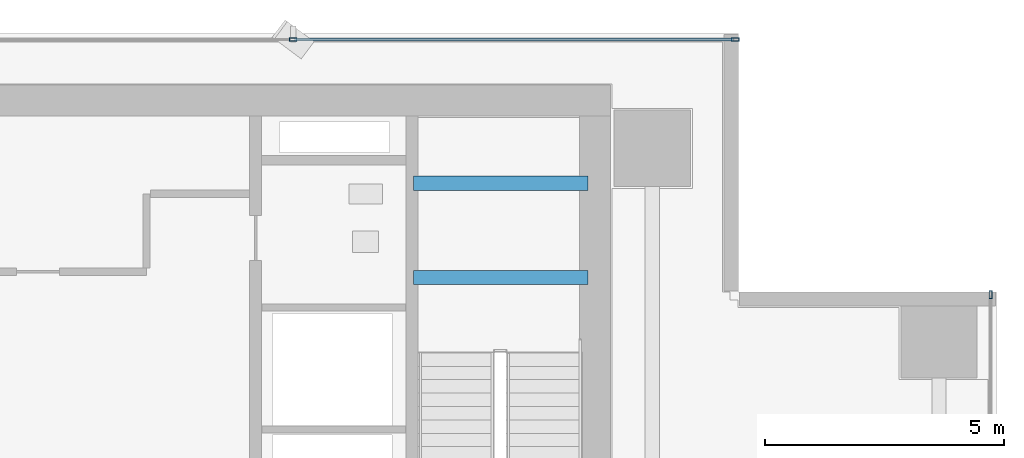
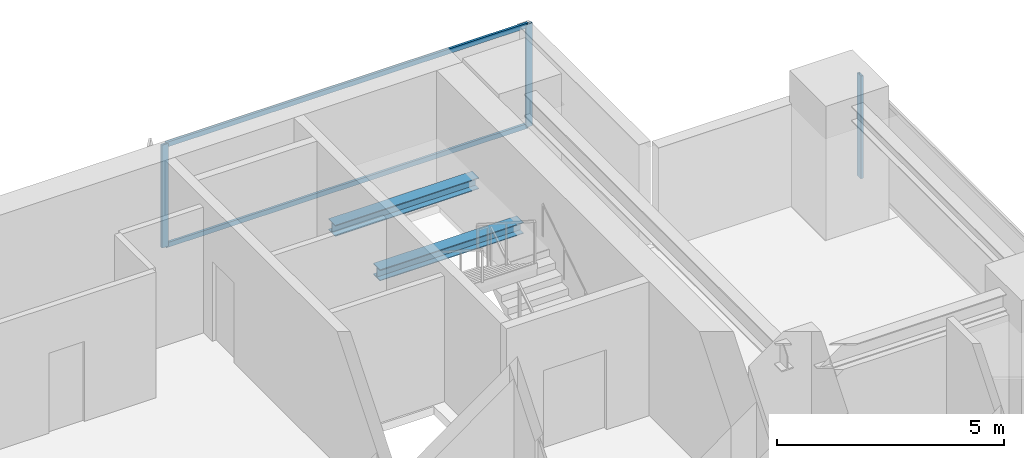
# One storey, part 19 of 27: 5 members, 2 beams, 2 elements without a shape of their own.
"""IFC4 building model written with IfcOpenShell, lengths in metres."""

import ifcopenshell
import ifcopenshell.guid

model = None  # the IFC model being written
_history = None  # IfcOwnerHistory: only IFC2X3 demands one
_inside = {}  # id of a spatial element -> (the spatial element, [elements in it])
_under = {}  # id of a project, library or spatial element -> (it, [spatial elements below it])
_declared = {}  # id of a project -> (the project, [libraries it declares])
_typed = {}  # id of a type object -> (the type object, [elements of that type])
_made_of = {}  # id of a material, layer set ... -> (it, [elements and type objects made of it])


def new_model(schema):
    """Start an empty IFC model of exactly this schema.

    Asked for "IFC4X3", IfcOpenShell would pick the latest addendum, in which some entities
    have other attributes; the version numbers below select the first issue.
    IFC2X3 requires an IfcOwnerHistory on every rooted entity: one is made here for all.
    """
    global model, _history
    if schema == "IFC4X3":
        model = ifcopenshell.file(schema_version=(4, 3, 0, 0))
    else:
        model = ifcopenshell.file(schema=schema)
    _inside.clear()
    _under.clear()
    _declared.clear()
    _typed.clear()
    _made_of.clear()
    _history = None
    if model.schema == "IFC2X3":
        org = make("IfcOrganization", Name="unknown")
        user = make(
            "IfcPersonAndOrganization",
            ThePerson=make("IfcPerson", FamilyName="unknown"),
            TheOrganization=org,
        )
        app = make(
            "IfcApplication",
            ApplicationDeveloper=org,
            Version="unknown",
            ApplicationFullName="unknown",
            ApplicationIdentifier="unknown",
        )
        _history = make(
            "IfcOwnerHistory",
            OwningUser=user,
            OwningApplication=app,
            ChangeAction="ADDED",
            CreationDate=0,
        )
    return model


def make(cls, **values):
    """One entity of the class cls with the attributes given. An attribute that is None is left unset."""
    return model.create_entity(
        cls, **{name: value for name, value in values.items() if value is not None}
    )


def rooted(cls, **values):
    """An entity with a GlobalId (a new one), such as an element, a storey or a relation."""
    return make(cls, GlobalId=ifcopenshell.guid.new(), OwnerHistory=_history, **values)


def si_unit(unit_type, name, prefix=None):
    """IfcSIUnit, for example si_unit("LENGTHUNIT", "METRE", prefix="MILLI")."""
    return make("IfcSIUnit", UnitType=unit_type, Prefix=prefix, Name=name)


def assignment(units):
    """IfcUnitAssignment: the units of a project."""
    return None if units is None else make("IfcUnitAssignment", Units=units)


def point(xyz):
    """IfcCartesianPoint."""
    return None if xyz is None else make("IfcCartesianPoint", Coordinates=xyz)


def direction(xyz):
    """IfcDirection."""
    return None if xyz is None else make("IfcDirection", DirectionRatios=xyz)


def frame(location, z_axis=None, x_axis=None):
    """IfcAxis2Placement3D, a coordinate frame: its origin and axes. An axis left out is left unset."""
    return make(
        "IfcAxis2Placement3D",
        Location=point(location),
        Axis=direction(z_axis),
        RefDirection=direction(x_axis),
    )


def frame_2d(location, x_axis=None):
    """IfcAxis2Placement2D, a coordinate frame in the plane: its origin and x axis."""
    return make(
        "IfcAxis2Placement2D", Location=point(location), RefDirection=direction(x_axis)
    )


def origin():
    """The frame at (0, 0, 0) with its axes left unset."""
    return frame((0.0, 0.0, 0.0))


def origin_2d():
    """The frame at (0, 0) in the plane with its x axis left unset."""
    return frame_2d((0.0, 0.0))


def place(relative_to, where):
    """IfcLocalPlacement: puts the frame where relative to a parent placement (None: the world)."""
    return make(
        "IfcLocalPlacement", PlacementRelTo=relative_to, RelativePlacement=where
    )


def context(
    kind, dimensions, precision=None, world=None, true_north=None, identifier=None
):
    """IfcGeometricRepresentationContext, for example the 3D "Model" context."""
    return make(
        "IfcGeometricRepresentationContext",
        ContextIdentifier=identifier,
        ContextType=kind,
        CoordinateSpaceDimension=dimensions,
        Precision=precision,
        WorldCoordinateSystem=world,
        TrueNorth=true_north,
    )


def subcontext(parent, identifier, kind, view, scale=None):
    """IfcGeometricRepresentationSubContext, for example "Body" below "Model"."""
    return make(
        "IfcGeometricRepresentationSubContext",
        ContextIdentifier=identifier,
        ContextType=kind,
        ParentContext=parent,
        TargetScale=scale,
        TargetView=view,
    )


def project(units=None, contexts=None):
    """IfcProject with its units and contexts."""
    return rooted(
        "IfcProject",
        Name="project",
        RepresentationContexts=contexts,
        UnitsInContext=assignment(units),
    )


def spatial(cls, under=None, at=None, **own):
    """A site, building, storey or space (cls), placed at a placement, below another one or the project."""
    s = rooted(cls, ObjectPlacement=at, **own)
    if under is not None:
        _under.setdefault(under.id(), (under, []))[1].append(s)
    return s


def profile(cls, at=None, kind="AREA", **sizes):
    """A parametric profile (cls). Its sizes go by their IFC names, for example OverallWidth=200.0."""
    return make(cls, ProfileType=kind, Position=at, **sizes)


def hollow_rectangle(**sizes):
    """IfcRectangleHollowProfileDef."""
    return profile("IfcRectangleHollowProfileDef", **sizes)


def i_section(**sizes):
    """IfcIShapeProfileDef."""
    return profile("IfcIShapeProfileDef", **sizes)


def extrude(swept, where, along, depth):
    """IfcExtrudedAreaSolid: the profile swept, set in the frame where, extruded along a direction by depth."""
    return make(
        "IfcExtrudedAreaSolid",
        SweptArea=swept,
        Position=where,
        ExtrudedDirection=direction(along),
        Depth=depth,
    )


def shape(context_of_items, identifier, shape_type, items):
    """IfcShapeRepresentation: the items that make up one representation, for example the "Body"."""
    return make(
        "IfcShapeRepresentation",
        ContextOfItems=context_of_items,
        RepresentationIdentifier=identifier,
        RepresentationType=shape_type,
        Items=items,
    )


def source(mapping_origin, context_of_items, identifier, shape_type, items):
    """IfcRepresentationMap: a shape defined once, which mapped items show again and again."""
    return make(
        "IfcRepresentationMap",
        MappingOrigin=mapping_origin,
        MappedRepresentation=shape(context_of_items, identifier, shape_type, items),
    )


def transform(
    local_origin,
    x_axis=None,
    y_axis=None,
    z_axis=None,
    scale=None,
    scale2=None,
    scale3=None,
    uniform=True,
):
    """IfcCartesianTransformationOperator3D, or its non-uniform kind. x_axis, y_axis, z_axis: its Axis1, 2, 3."""
    if uniform:
        return make(
            "IfcCartesianTransformationOperator3D",
            Axis1=direction(x_axis),
            Axis2=direction(y_axis),
            LocalOrigin=point(local_origin),
            Scale=scale,
            Axis3=direction(z_axis),
        )
    return make(
        "IfcCartesianTransformationOperator3DnonUniform",
        Axis1=direction(x_axis),
        Axis2=direction(y_axis),
        LocalOrigin=point(local_origin),
        Scale=scale,
        Axis3=direction(z_axis),
        Scale2=scale2,
        Scale3=scale3,
    )


def mapped(mapping_source, mapping_target):
    """IfcMappedItem: shows the shape of a source again, moved by a transform."""
    return make(
        "IfcMappedItem", MappingSource=mapping_source, MappingTarget=mapping_target
    )


def material(Name=None, Category=None):
    """IfcMaterial."""
    return make("IfcMaterial", Name=Name, Category=Category)


def layer(
    of_material, thickness, ventilated=None, Name=None, Category=None, Priority=None
):
    """IfcMaterialLayer: one layer of a wall or slab, of a material (None: an air gap)."""
    return make(
        "IfcMaterialLayer",
        Material=of_material,
        LayerThickness=thickness,
        IsVentilated=ventilated,
        Name=Name,
        Category=Category,
        Priority=Priority,
    )


def layer_set(layers, Name=None):
    """IfcMaterialLayerSet."""
    return make("IfcMaterialLayerSet", MaterialLayers=layers, LayerSetName=Name)


def material_profile(
    of_material, cross_section, Name=None, Category=None, Priority=None
):
    """IfcMaterialProfile: a cross section and its material."""
    return make(
        "IfcMaterialProfile",
        Name=Name,
        Material=of_material,
        Profile=cross_section,
        Priority=Priority,
        Category=Category,
    )


def profile_set(profiles, Name=None, composite=None):
    """IfcMaterialProfileSet."""
    return make(
        "IfcMaterialProfileSet",
        Name=Name,
        MaterialProfiles=profiles,
        CompositeProfile=composite,
    )


def made_of(thing, what):
    """Note that an element or type object is made of a material, layer set ...; save() writes the relation."""
    if what is not None:
        _made_of.setdefault(what.id(), (what, []))[1].append(thing)
    return thing


def type_object(cls, material=None, **own):
    """A type object (cls), such as IfcWallType, which elements share."""
    return made_of(rooted(cls, **own), material)


def element(
    cls,
    number,
    at=None,
    inside=None,
    cuts=None,
    type_object=None,
    material=None,
    context=None,
    identifier="Body",
    shape_type=None,
    held_by="IfcProductDefinitionShape",
    body=None,
    shapes=None,
    **own,
):
    """One element of the class cls, such as IfcWall. Its Tag is "e" and its number.

    at: its placement. inside: the storey or other place that contains it. cuts: it is an
    opening in that element (IfcRelVoidsElement). A single representation is given by context,
    identifier, shape_type and body (its items); several are given by shapes. held_by: the class
    of the entity that holds the representations. save() writes the other relations.
    """
    e = rooted(cls, Tag="e%d" % number, ObjectPlacement=at, **own)
    if body is not None:
        shapes = [shape(context, identifier, shape_type, body)]
    if shapes is not None:
        e.Representation = make(held_by, Representations=shapes)
    if inside is not None:
        _inside.setdefault(inside.id(), (inside, []))[1].append(e)
    if cuts is not None:
        rooted(
            "IfcRelVoidsElement", RelatingBuildingElement=cuts, RelatedOpeningElement=e
        )
    if type_object is not None:
        _typed.setdefault(type_object.id(), (type_object, []))[1].append(e)
    return made_of(e, material)


def aggregate(whole, parts):
    """IfcRelAggregates: a whole, such as a stair, and the parts it consists of."""
    return rooted("IfcRelAggregates", RelatingObject=whole, RelatedObjects=parts)


def save(model, path):
    """Write the relations noted so far, then the file.

    IfcRelAggregates (storeys below a building ...), IfcRelContainedInSpatialStructure (elements
    in a storey), IfcRelDefinesByType, IfcRelAssociatesMaterial and IfcRelDeclares: one each for
    every whole, place, type object, material and project.
    """
    for whole, parts in _under.values():
        aggregate(whole, parts)
    for where, things in _inside.values():
        rooted(
            "IfcRelContainedInSpatialStructure",
            RelatedElements=things,
            RelatingStructure=where,
        )
    for kind, things in _typed.values():
        rooted("IfcRelDefinesByType", RelatedObjects=things, RelatingType=kind)
    for what, things in _made_of.values():
        rooted("IfcRelAssociatesMaterial", RelatedObjects=things, RelatingMaterial=what)
    for by, libraries in _declared.values():
        rooted("IfcRelDeclares", RelatingContext=by, RelatedDefinitions=libraries)
    model.write(path)


model = new_model("IFC4")

# Units and contexts
model_context = context("Model", 3, precision=1e-05, world=origin(), true_north=direction((0.0, 1.0)))
body_context = subcontext(model_context, "Body", "Model", "MODEL_VIEW")
ifc_project = project(units=[si_unit("LENGTHUNIT", "METRE"), si_unit("AREAUNIT", "SQUARE_METRE"), si_unit("VOLUMEUNIT", "CUBIC_METRE"), si_unit("PLANEANGLEUNIT", "RADIAN"), si_unit("MASSUNIT", "GRAM", prefix="KILO")], contexts=[model_context])

# Site, building, storey
site_placement = place(None, origin())
site = spatial("IfcSite", under=ifc_project, at=site_placement, CompositionType="ELEMENT")
building_placement = place(site_placement, origin())
building = spatial("IfcBuilding", under=site, at=building_placement, Name="Sumidabori Civic Tower", CompositionType="ELEMENT")
storey_placement = place(building_placement, frame((0.0, 0.0, 160.39990234375)))
storey = spatial("IfcBuildingStorey", under=building, at=storey_placement, Name="L41", CompositionType="ELEMENT", Elevation=160.39990234375)

# Beams
ifc_material_1 = material(Name="Steel SN490", Category="steel")
ifc_material_profile_1 = material_profile(ifc_material_1, i_section(OverallWidth=0.300048828125, OverallDepth=0.300048828125, WebThickness=0.010986328125, FlangeThickness=0.01904296875, at=origin_2d()), Name="HE 300 B")
ifc_profile_set_1 = profile_set([ifc_material_profile_1], Name="Steel SN490")
beam_type = type_object("IfcBeamType", Name="BM-LDG-300", PredefinedType="BEAM", material=ifc_profile_set_1)
shared_shape_1 = source(origin(), body_context, "Body", "SweptSolid", [
    extrude(i_section(OverallWidth=0.300048828125, OverallDepth=0.300048828125, WebThickness=0.010986328125, FlangeThickness=0.01904296875, at=origin_2d()), origin(), (0.0, 0.0, 1.0), 3.64990234375),
])
for number, where, z_axis, x_axis, name in (
    (1, (11.800048828125, 20.09765625, 1.4501953125), (1.0, 0.0, 0.0), (0.0, 1.0, 0.0), "Stair ST-2 Landing Support Beam L41-1A"),
    (2, (11.800048828125, 22.069580078125, 1.4501953125), (1.0, 0.0, 0.0), (0.0, 1.0, 0.0), "Stair ST-2 Landing Trimmer Beam L41-1B"),
):
    element("IfcBeam", number, at=place(storey_placement, frame(where, z_axis=z_axis, x_axis=x_axis)), inside=storey, type_object=beam_type, Name=name, PredefinedType="BEAM", context=body_context, shape_type="MappedRepresentation", body=[
        mapped(shared_shape_1, transform((0.0, 0.0, 0.0), x_axis=(1.0, 0.0, 0.0), y_axis=(0.0, 1.0, 0.0), z_axis=(0.0, 0.0, 1.0), scale=1.0)),
    ])

# Curtain wall, member
ifc_material_2 = material(Name="Anodised Bronze Aluminium AW-6063-T6", Category="aluminium")
ifc_layer = layer(ifc_material_2, 0.179931640625, Name="Anodised Bronze Aluminium AW-6063-T6")
ifc_layer_set = layer_set([ifc_layer], Name="Anodised Bronze Aluminium AW-6063-T6")
curtain_wall_type = type_object("IfcCurtainWallType", Name="CW-SYS-3", PredefinedType="NOTDEFINED", material=ifc_layer_set)
curtain_wall_1_placement = place(storey_placement, origin())
curtain_wall_1 = element("IfcCurtainWall", 3, at=curtain_wall_1_placement, inside=storey, type_object=curtain_wall_type, Name="Curtain Wall CW:L41:R04", PredefinedType="NOTDEFINED")
ifc_material_profile_2 = material_profile(ifc_material_2, hollow_rectangle(XDim=0.06494140625, YDim=0.159912109375, WallThickness=0.0048828125, at=origin_2d()), Name="ALU MULLION 160x65")
ifc_profile_set_2 = profile_set([ifc_material_profile_2], Name="Anodised Bronze Aluminium AW-6063-T6")
member_type_1 = type_object("IfcMemberType", Name="CW-MUL-160", PredefinedType="MULLION", material=ifc_profile_set_2)
shared_shape_2 = source(origin(), body_context, "Body", "SweptSolid", [
    extrude(hollow_rectangle(XDim=0.06494140625, YDim=0.159912109375, WallThickness=0.0048828125, at=origin_2d()), origin(), (0.0, 0.0, 1.0), 2.760009765625),
])
member_1_placement = place(storey_placement, frame((23.8798828125, 19.737548828125, 0.0), z_axis=(0.0, 0.0, 1.0), x_axis=(-1.0, 0.0, 0.0)))
member_1 = element("IfcMember", 4, at=member_1_placement, type_object=member_type_1, Name="CW-3 mullion 5", PredefinedType="MULLION", context=body_context, shape_type="MappedRepresentation", body=[
    mapped(shared_shape_2, transform((0.0, 0.0, 0.0), x_axis=(1.0, 0.0, 0.0), y_axis=(0.0, 1.0, 0.0), z_axis=(0.0, 0.0, 1.0), scale=1.0)),
])
aggregate(curtain_wall_1, [member_1])

# Curtain wall, members
curtain_wall_2_placement = place(storey_placement, origin())
curtain_wall_2 = element("IfcCurtainWall", 5, at=curtain_wall_2_placement, inside=storey, type_object=curtain_wall_type, Name="Curtain Wall CW:L41:R07", PredefinedType="NOTDEFINED")
member_2_placement = place(storey_placement, frame((18.53759765625, 25.080078125, 0.0), z_axis=(0.0, 0.0, 1.0), x_axis=(0.0, -1.0, 0.0)))
member_2 = element("IfcMember", 6, at=member_2_placement, type_object=member_type_1, Name="CW-3 mullion 1", PredefinedType="MULLION", context=body_context, shape_type="MappedRepresentation", body=[
    mapped(shared_shape_2, transform((0.0, 0.0, 0.0), x_axis=(1.0, 0.0, 0.0), y_axis=(0.0, 1.0, 0.0), z_axis=(0.0, 0.0, 1.0), scale=1.0)),
])
member_3_placement = place(storey_placement, frame((9.284912109375, 25.080078125, 0.0), z_axis=(0.0, 0.0, 1.0), x_axis=(0.0, -1.0, 0.0)))
member_3 = element("IfcMember", 7, at=member_3_placement, type_object=member_type_1, Name="CW-3 mullion 2", PredefinedType="MULLION", context=body_context, shape_type="MappedRepresentation", body=[
    mapped(shared_shape_2, transform((0.0, 0.0, 0.0), x_axis=(1.0, 0.0, 0.0), y_axis=(0.0, 1.0, 0.0), z_axis=(0.0, 0.0, 1.0), scale=1.0)),
])
ifc_material_profile_3 = material_profile(ifc_material_2, hollow_rectangle(XDim=0.06005859375, YDim=0.1298828125, WallThickness=0.0048828125, at=origin_2d()), Name="ALU TRANSOM 130x60")
ifc_profile_set_3 = profile_set([ifc_material_profile_3], Name="Anodised Bronze Aluminium AW-6063-T6")
member_type_2 = type_object("IfcMemberType", Name="CW-TRN-130", PredefinedType="USERDEFINED", material=ifc_profile_set_3)
shared_shape_3 = source(origin(), body_context, "Body", "SweptSolid", [
    extrude(hollow_rectangle(XDim=0.06005859375, YDim=0.1298828125, WallThickness=0.0048828125, at=origin_2d()), origin(), (0.0, 0.0, 1.0), 9.1875),
])
member_4_placement = place(storey_placement, frame((18.5048828125, 25.080078125, 0.030029296875), z_axis=(-1.0, 0.0, 0.0), x_axis=(0.0, -1.0, 0.0)))
member_4 = element("IfcMember", 8, at=member_4_placement, type_object=member_type_2, Name="CW-3 transom 1.1", ObjectType="TRANSOM", PredefinedType="USERDEFINED", context=body_context, shape_type="MappedRepresentation", body=[
    mapped(shared_shape_3, transform((0.0, 0.0, 0.0), x_axis=(1.0, 0.0, 0.0), y_axis=(0.0, 1.0, 0.0), z_axis=(0.0, 0.0, 1.0), scale=1.0)),
])
member_5_placement = place(storey_placement, frame((18.5048828125, 25.080078125, 2.72998046875), z_axis=(-1.0, 0.0, 0.0), x_axis=(0.0, -1.0, 0.0)))
member_5 = element("IfcMember", 9, at=member_5_placement, type_object=member_type_2, Name="CW-3 transom 1.2", ObjectType="TRANSOM", PredefinedType="USERDEFINED", context=body_context, shape_type="MappedRepresentation", body=[
    mapped(shared_shape_3, transform((0.0, 0.0, 0.0), x_axis=(1.0, 0.0, 0.0), y_axis=(0.0, 1.0, 0.0), z_axis=(0.0, 0.0, 1.0), scale=1.0)),
])
aggregate(curtain_wall_2, [member_2, member_3, member_4, member_5])

save(model, "model.ifc")
